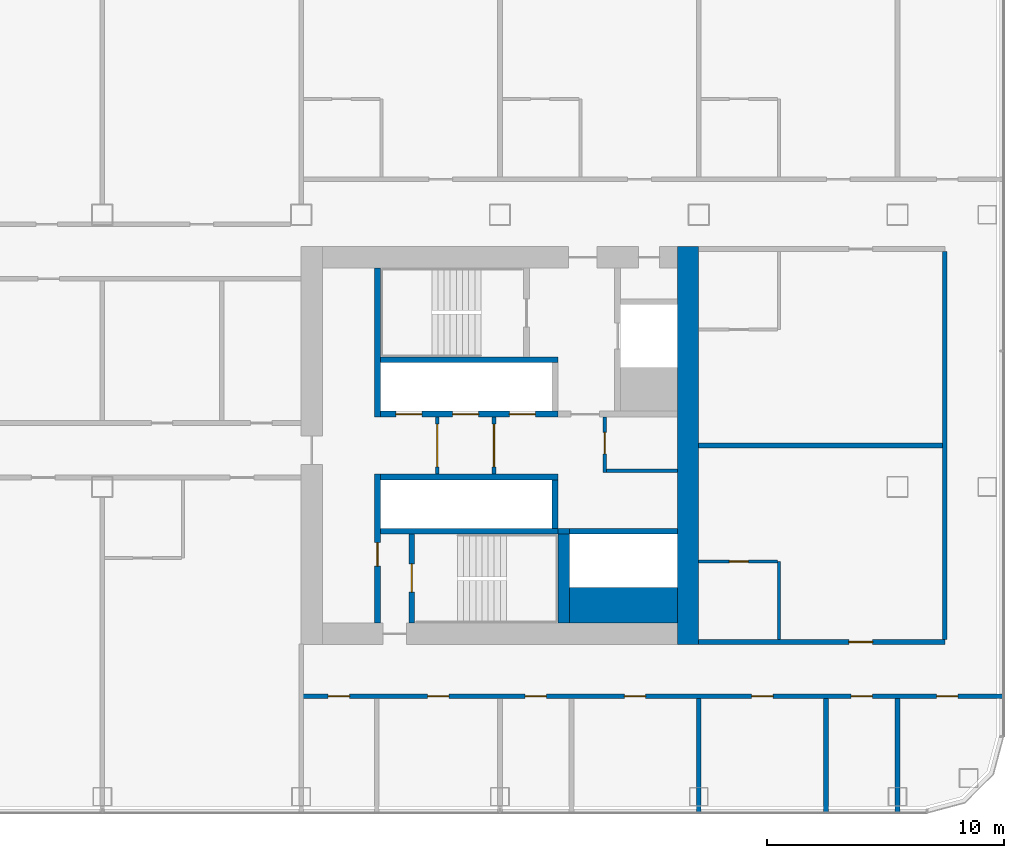
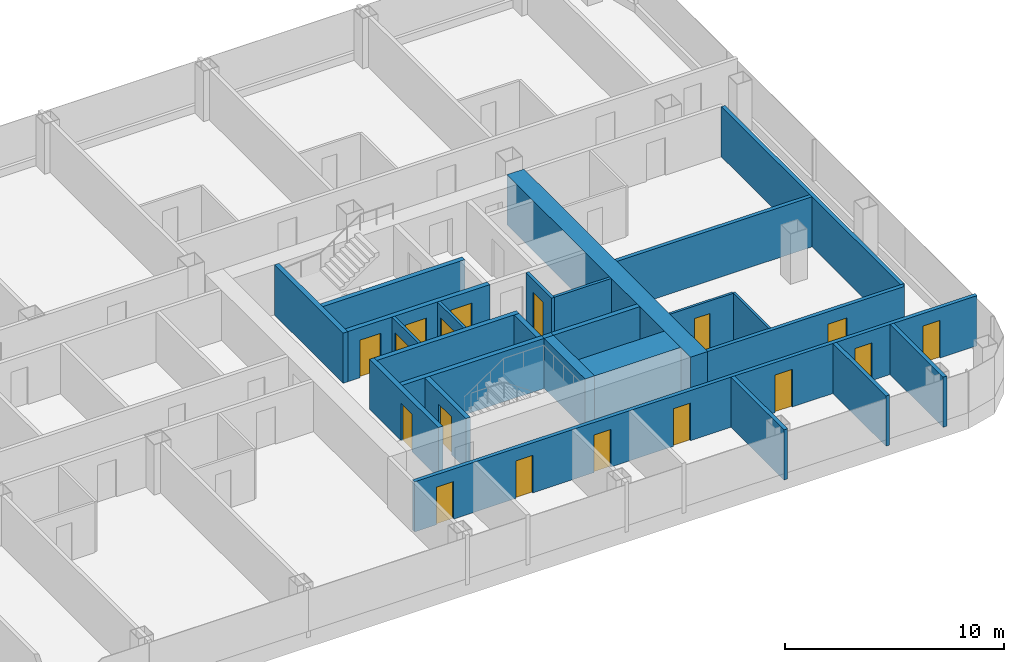
# One storey, part 19 of 29: 26 walls, 17 doors, 17 openings.
"""IFC4 building model written with IfcOpenShell, lengths in metres."""

from ifc_helpers import new_model, si_unit, direction, frame, frame_2d, origin, place, context, subcontext, project, spatial, rectangle, extrude, material, layer, layer_set, type_object, element, fill, save


model = new_model("IFC4")

# Units and contexts
model_context = context("Model", 3, precision=1e-05, world=origin(), true_north=direction((0.0, 1.0)))
body_context = subcontext(model_context, "Body", "Model", "MODEL_VIEW")
ifc_project = project(units=[si_unit("LENGTHUNIT", "METRE"), si_unit("AREAUNIT", "SQUARE_METRE"), si_unit("VOLUMEUNIT", "CUBIC_METRE"), si_unit("PLANEANGLEUNIT", "RADIAN"), si_unit("MASSUNIT", "GRAM", prefix="KILO")], contexts=[model_context])

# Site, building, storey
site_placement = place(None, origin())
site = spatial("IfcSite", under=ifc_project, at=site_placement, CompositionType="ELEMENT")
building_placement = place(site_placement, origin())
building = spatial("IfcBuilding", under=site, at=building_placement, Name="Hakoniwa Tower and Hamabe Station Hall", CompositionType="ELEMENT")
storey_placement = place(building_placement, frame((0.0, 0.0, 75.39990234375)))
storey = spatial("IfcBuildingStorey", under=building, at=storey_placement, Name="L20", CompositionType="ELEMENT", Elevation=75.39990234375)

# Wall, opening, door
ifc_material_1 = material(Name="Gypsum board partition", Category="gypsum")
ifc_layer_1 = layer(ifc_material_1, 0.125)
ifc_layer_set_1 = layer_set([ifc_layer_1], Name="Bathroom Partition 125")
wall_type_1 = type_object("IfcWallType", Name="Bathroom Partition 125", PredefinedType="PARTITIONING", material=ifc_layer_set_1)
wall_1_placement = place(storey_placement, frame((33.60009765625, -4.89990234375, 0.0), z_axis=(0.0, 0.0, 1.0), x_axis=(1.0, 0.0, 0.0)))
wall_1 = element("IfcWall", 1, at=wall_1_placement, inside=storey, type_object=wall_type_1, Name="GW-L20-006", PredefinedType="PARTITIONING", context=body_context, shape_type="SweptSolid", body=[
    extrude(rectangle(XDim=3.33740234375, YDim=0.125, at=frame_2d((1.668701171875, 0.0))), origin(), (0.0, 0.0, 1.0), 2.800048828125),
])
opening_1_placement = place(wall_1_placement, frame((1.300048828125, 0.0, 0.0)))
opening_1 = element("IfcOpeningElement", 2, at=opening_1_placement, cuts=wall_1, Name="Opening GD-G2A0-17", PredefinedType="OPENING", context=body_context, shape_type="SweptSolid", body=[
    extrude(rectangle(XDim=0.800048828125, YDim=2.10009765625, at=frame_2d((0.39990234375, 1.050048828125))), frame((0.0, 0.072509765625, 0.0), z_axis=(0.0, -1.0, 0.0), x_axis=(1.0, 0.0, 0.0)), (0.0, 0.0, 1.0), 0.14501953125),
])
ifc_material_2 = material(Name="Timber door leaf", Category="wood")
door_type_1 = type_object("IfcDoorType", Name="Bathroom Door 800", OperationType="SINGLE_SWING_LEFT", PredefinedType="DOOR", material=ifc_material_2)
door_1_placement = place(opening_1_placement, origin())
door_1 = element("IfcDoor", 3, at=door_1_placement, inside=storey, type_object=door_type_1, Name="Door GD-G2A0-17", OperationType="SINGLE_SWING_RIGHT", OverallHeight=2.10009765625, OverallWidth=0.800048828125, PredefinedType="DOOR", context=body_context, shape_type="SweptSolid", body=[
    extrude(rectangle(XDim=0.800048828125, YDim=2.10009765625, at=frame_2d((0.39990234375, 1.050048828125))), frame((0.0, 0.02490234375, 0.0), z_axis=(0.0, -1.0, 0.0), x_axis=(1.0, 0.0, 0.0)), (0.0, 0.0, 1.0), 0.050048828125),
])
fill(opening_1, door_1)

# Wall
wall_2_placement = place(storey_placement, frame((37.0, -8.199951171875, 0.0), z_axis=(0.0, 0.0, 1.0), x_axis=(0.0, 1.0, 0.0)))
element("IfcWall", 4, at=wall_2_placement, inside=storey, type_object=wall_type_1, Name="GW-L20-073", PredefinedType="PARTITIONING", context=body_context, shape_type="SweptSolid", body=[
    extrude(rectangle(XDim=3.300048828125, YDim=0.125, at=frame_2d((1.64990234375, 0.0))), origin(), (0.0, 0.0, 1.0), 2.800048828125),
])

# Wall, opening, door
ifc_material_3 = material(Name="Gypsum board partition")
ifc_layer_2 = layer(ifc_material_3, 0.14990234375)
ifc_layer_set_2 = layer_set([ifc_layer_2], Name="CORE PARTITION 150 EI 60")
wall_type_2 = type_object("IfcWallType", Name="CORE PARTITION 150 EI 60", PredefinedType="PARTITIONING", material=ifc_layer_set_2)
wall_3_placement = place(storey_placement, frame((22.550048828125, -1.199951171875, 0.0), z_axis=(0.0, 0.0, 1.0), x_axis=(0.0, 1.0, 0.0)))
wall_3 = element("IfcWall", 5, at=wall_3_placement, inside=storey, type_object=wall_type_2, Name="Core partition PL0 east", PredefinedType="PARTITIONING", context=body_context, shape_type="SweptSolid", body=[
    extrude(rectangle(XDim=2.39990234375, YDim=0.14990234375, at=frame_2d((1.199951171875, 0.0))), origin(), (0.0, 0.0, 1.0), 2.800048828125),
])
opening_2_placement = place(wall_3_placement, frame((0.300048828125, 0.0, 0.0)))
opening_2 = element("IfcOpeningElement", 6, at=opening_2_placement, cuts=wall_3, Name="Opening CD-E-LP0-18", PredefinedType="OPENING", context=body_context, shape_type="SweptSolid", body=[
    extrude(rectangle(XDim=1.800048828125, YDim=2.10009765625, at=frame_2d((0.89990234375, 1.050048828125))), frame((0.0, 0.0849609375, 0.0), z_axis=(0.0, -1.0, 0.0), x_axis=(1.0, 0.0, 0.0)), (0.0, 0.0, 1.0), 0.169921875),
])
ifc_material_4 = material(Name="Steel fire door", Category="steel")
door_type_2 = type_object("IfcDoorType", Name="CORE DOOR 1800 FD60", OperationType="DOUBLE_DOOR_SINGLE_SWING", PredefinedType="DOOR", material=ifc_material_4)
door_2_placement = place(opening_2_placement, origin())
door_2 = element("IfcDoor", 7, at=door_2_placement, inside=storey, type_object=door_type_2, Name="Lift lobby partition door", OperationType="DOUBLE_DOOR_SINGLE_SWING", OverallHeight=2.10009765625, OverallWidth=1.800048828125, PredefinedType="DOOR", context=body_context, shape_type="SweptSolid", body=[
    extrude(rectangle(XDim=1.800048828125, YDim=2.10009765625, at=frame_2d((0.89990234375, 1.050048828125))), frame((0.0, 0.02490234375, 0.0), z_axis=(0.0, -1.0, 0.0), x_axis=(1.0, 0.0, 0.0)), (0.0, 0.0, 1.0), 0.050048828125),
])
fill(opening_2, door_2)

wall_4_placement = place(storey_placement, frame((24.949951171875, -1.199951171875, 0.0), z_axis=(0.0, 0.0, 1.0), x_axis=(0.0, 1.0, 0.0)))
wall_4 = element("IfcWall", 8, at=wall_4_placement, inside=storey, type_object=wall_type_2, Name="Core partition PL1 east", PredefinedType="PARTITIONING", context=body_context, shape_type="SweptSolid", body=[
    extrude(rectangle(XDim=2.39990234375, YDim=0.14990234375, at=frame_2d((1.199951171875, 0.0))), origin(), (0.0, 0.0, 1.0), 2.800048828125),
])
opening_3_placement = place(wall_4_placement, frame((0.300048828125, 0.0, 0.0)))
opening_3 = element("IfcOpeningElement", 9, at=opening_3_placement, cuts=wall_4, Name="Opening CD-E-LP1-18", PredefinedType="OPENING", context=body_context, shape_type="SweptSolid", body=[
    extrude(rectangle(XDim=1.800048828125, YDim=2.10009765625, at=frame_2d((0.89990234375, 1.050048828125))), frame((0.0, 0.0849609375, 0.0), z_axis=(0.0, -1.0, 0.0), x_axis=(1.0, 0.0, 0.0)), (0.0, 0.0, 1.0), 0.169921875),
])
door_3_placement = place(opening_3_placement, origin())
door_3 = element("IfcDoor", 10, at=door_3_placement, inside=storey, type_object=door_type_2, Name="Lift lobby partition door", OperationType="DOUBLE_DOOR_SINGLE_SWING", OverallHeight=2.10009765625, OverallWidth=1.800048828125, PredefinedType="DOOR", context=body_context, shape_type="SweptSolid", body=[
    extrude(rectangle(XDim=1.800048828125, YDim=2.10009765625, at=frame_2d((0.89990234375, 1.050048828125))), frame((0.0, 0.02490234375, 0.0), z_axis=(0.0, -1.0, 0.0), x_axis=(1.0, 0.0, 0.0)), (0.0, 0.0, 1.0), 0.050048828125),
])
fill(opening_3, door_3)

wall_5_placement = place(storey_placement, frame((29.625, -1.14990234375, 0.0), z_axis=(0.0, 0.0, 1.0), x_axis=(0.0, 1.0, 0.0)))
wall_5 = element("IfcWall", 11, at=wall_5_placement, inside=storey, type_object=wall_type_2, Name="Core partition PW0 east", PredefinedType="PARTITIONING", context=body_context, shape_type="SweptSolid", body=[
    extrude(rectangle(XDim=2.349853515625, YDim=0.14990234375, at=frame_2d((1.1748046875, 0.0))), origin(), (0.0, 0.0, 1.0), 2.800048828125),
])
opening_4_placement = place(wall_5_placement, frame((0.800048828125, 0.0, 0.0)))
opening_4 = element("IfcOpeningElement", 12, at=opening_4_placement, cuts=wall_5, Name="Opening CD-E-RM1-9", PredefinedType="OPENING", context=body_context, shape_type="SweptSolid", body=[
    extrude(rectangle(XDim=0.89990234375, YDim=2.10009765625, at=frame_2d((0.449951171875, 1.050048828125))), frame((0.0, 0.0849609375, 0.0), z_axis=(0.0, -1.0, 0.0), x_axis=(1.0, 0.0, 0.0)), (0.0, 0.0, 1.0), 0.169921875),
])
ifc_material_5 = material(Name="Steel fire door", Category="steel")
door_type_3 = type_object("IfcDoorType", Name="CORE DOOR 900 FD30", OperationType="NOTDEFINED", PredefinedType="DOOR", material=ifc_material_5)
door_4_placement = place(opening_4_placement, origin())
door_4 = element("IfcDoor", 13, at=door_4_placement, inside=storey, type_object=door_type_3, Name="Store room door", OperationType="SINGLE_SWING_RIGHT", OverallHeight=2.10009765625, OverallWidth=0.89990234375, PredefinedType="DOOR", context=body_context, shape_type="SweptSolid", body=[
    extrude(rectangle(XDim=0.89990234375, YDim=2.10009765625, at=frame_2d((0.449951171875, 1.050048828125))), frame((0.0, 0.02490234375, 0.0), z_axis=(0.0, -1.0, 0.0), x_axis=(1.0, 0.0, 0.0)), (0.0, 0.0, 1.0), 0.050048828125),
])
fill(opening_4, door_4)

# Walls
wall_6_placement = place(storey_placement, frame((29.699951171875, -1.074951171875, 0.0), z_axis=(0.0, 0.0, 1.0), x_axis=(1.0, 0.0, 0.0)))
element("IfcWall", 14, at=wall_6_placement, inside=storey, type_object=wall_type_2, Name="Core partition PS east", PredefinedType="PARTITIONING", context=body_context, shape_type="SweptSolid", body=[
    extrude(rectangle(XDim=3.0, YDim=0.14990234375, at=frame_2d((1.5, 0.0))), origin(), (0.0, 0.0, 1.0), 2.800048828125),
])
ifc_material_6 = material(Name="Concrete C72", Category="concrete")
ifc_layer_3 = layer(ifc_material_6, 0.89990234375)
ifc_layer_set_3 = layer_set([ifc_layer_3], Name="CORE WALL 900 C72")
wall_type_3 = type_object("IfcWallType", Name="CORE WALL 900 C72", PredefinedType="SHEAR", material=ifc_layer_set_3)
wall_7_placement = place(storey_placement, frame((33.14990234375, -8.39990234375, 0.0), z_axis=(0.0, 0.0, 1.0), x_axis=(0.0, 1.0, 0.0)))
element("IfcWall", 15, at=wall_7_placement, inside=storey, type_object=wall_type_3, Name="Core wall OUTER east", PredefinedType="SHEAR", context=body_context, shape_type="SweptSolid", body=[
    extrude(rectangle(XDim=16.7998046875, YDim=0.89990234375, at=frame_2d((8.39990234375, 0.0))), origin(), (0.0, 0.0, 1.0), 2.800048828125),
])
ifc_material_7 = material(Name="Concrete C72", Category="concrete")
ifc_layer_4 = layer(ifc_material_7, 1.5)
ifc_layer_set_4 = layer_set([ifc_layer_4], Name="CORE WEB WALL 1500 C72")
wall_type_4 = type_object("IfcWallType", Name="CORE WEB WALL 1500 C72", PredefinedType="SHEAR", material=ifc_layer_set_4)
wall_8_placement = place(storey_placement, frame((28.14990234375, -6.75, 0.0), z_axis=(0.0, 0.0, 1.0), x_axis=(1.0, 0.0, 0.0)))
element("IfcWall", 16, at=wall_8_placement, inside=storey, type_object=wall_type_4, Name="Core wall SER east", PredefinedType="SHEAR", context=body_context, shape_type="SweptSolid", body=[
    extrude(rectangle(XDim=4.550048828125, YDim=1.5, at=frame_2d((2.27490234375, 0.0))), origin(), (0.0, 0.0, 1.0), 2.800048828125),
])
ifc_material_8 = material(Name="Concrete C72", Category="concrete")
ifc_layer_5 = layer(ifc_material_8, 0.25)
ifc_layer_set_5 = layer_set([ifc_layer_5], Name="CORE WEB WALL 250 C72")
wall_type_5 = type_object("IfcWallType", Name="CORE WEB WALL 250 C72", PredefinedType="SHEAR", material=ifc_layer_set_5)
wall_9_placement = place(storey_placement, frame((20.02490234375, 1.199951171875, 0.0), z_axis=(0.0, 0.0, 1.0), x_axis=(0.0, 1.0, 0.0)))
element("IfcWall", 17, at=wall_9_placement, inside=storey, type_object=wall_type_5, Name="Core wall W1N east", PredefinedType="SHEAR", context=body_context, shape_type="SweptSolid", body=[
    extrude(rectangle(XDim=6.300048828125, YDim=0.25, at=frame_2d((3.14990234375, 0.0))), origin(), (0.0, 0.0, 1.0), 2.800048828125),
])

# Wall, opening, door
wall_10_placement = place(storey_placement, frame((20.02490234375, -7.5, 0.0), z_axis=(0.0, 0.0, 1.0), x_axis=(0.0, 1.0, 0.0)))
wall_10 = element("IfcWall", 18, at=wall_10_placement, inside=storey, type_object=wall_type_5, Name="Core wall W1S east", PredefinedType="SHEAR", context=body_context, shape_type="SweptSolid", body=[
    extrude(rectangle(XDim=6.300048828125, YDim=0.25, at=frame_2d((3.14990234375, 0.0))), origin(), (0.0, 0.0, 1.0), 2.800048828125),
])
opening_5_placement = place(wall_10_placement, frame((2.39990234375, 0.0, 0.0)))
opening_5 = element("IfcOpeningElement", 19, at=opening_5_placement, cuts=wall_10, Name="Opening CD-E-VS-10", PredefinedType="OPENING", context=body_context, shape_type="SweptSolid", body=[
    extrude(rectangle(XDim=1.0, YDim=2.10009765625, at=frame_2d((0.5, 1.050048828125))), frame((0.0, 0.135009765625, 0.0), z_axis=(0.0, -1.0, 0.0), x_axis=(1.0, 0.0, 0.0)), (0.0, 0.0, 1.0), 0.27001953125),
])
ifc_material_9 = material(Name="Steel fire door", Category="steel")
door_type_4 = type_object("IfcDoorType", Name="CORE DOOR 1000 FD60", OperationType="NOTDEFINED", PredefinedType="DOOR", material=ifc_material_9)
door_5_placement = place(opening_5_placement, origin())
door_5 = element("IfcDoor", 20, at=door_5_placement, inside=storey, type_object=door_type_4, Name="Stair vestibule door", OperationType="SINGLE_SWING_RIGHT", OverallHeight=2.10009765625, OverallWidth=1.0, PredefinedType="DOOR", context=body_context, shape_type="SweptSolid", body=[
    extrude(rectangle(XDim=1.0, YDim=2.10009765625, at=frame_2d((0.5, 1.050048828125))), frame((0.0, 0.02490234375, 0.0), z_axis=(0.0, -1.0, 0.0), x_axis=(1.0, 0.0, 0.0)), (0.0, 0.0, 1.0), 0.050048828125),
])
fill(opening_5, door_5)

# Wall, openings, doors
wall_11_placement = place(storey_placement, frame((20.14990234375, 1.324951171875, 0.0), z_axis=(0.0, 0.0, 1.0), x_axis=(1.0, 0.0, 0.0)))
wall_11 = element("IfcWall", 21, at=wall_11_placement, inside=storey, type_object=wall_type_5, Name="Core wall NF east", PredefinedType="SHEAR", context=body_context, shape_type="SweptSolid", body=[
    extrude(rectangle(XDim=7.5, YDim=0.25, at=frame_2d((3.75, 0.0))), origin(), (0.0, 0.0, 1.0), 2.800048828125),
])
opening_6_placement = place(wall_11_placement, frame((0.64990234375, 0.0, 0.0)))
opening_6 = element("IfcOpeningElement", 22, at=opening_6_placement, cuts=wall_11, Name="Opening LD-LR4", PredefinedType="OPENING", context=body_context, shape_type="SweptSolid", body=[
    extrude(rectangle(XDim=1.10009765625, YDim=2.10009765625, at=frame_2d((0.550048828125, 1.050048828125))), frame((0.0, 0.135009765625, 0.0), z_axis=(0.0, -1.0, 0.0), x_axis=(1.0, 0.0, 0.0)), (0.0, 0.0, 1.0), 0.27001953125),
])
opening_7_placement = place(wall_11_placement, frame((3.050048828125, 0.0, 0.0)))
opening_7 = element("IfcOpeningElement", 23, at=opening_7_placement, cuts=wall_11, Name="Opening LD-LR5", PredefinedType="OPENING", context=body_context, shape_type="SweptSolid", body=[
    extrude(rectangle(XDim=1.10009765625, YDim=2.10009765625, at=frame_2d((0.550048828125, 1.050048828125))), frame((0.0, 0.135009765625, 0.0), z_axis=(0.0, -1.0, 0.0), x_axis=(1.0, 0.0, 0.0)), (0.0, 0.0, 1.0), 0.27001953125),
])
opening_8_placement = place(wall_11_placement, frame((5.449951171875, 0.0, 0.0)))
opening_8 = element("IfcOpeningElement", 24, at=opening_8_placement, cuts=wall_11, Name="Opening LD-LR6", PredefinedType="OPENING", context=body_context, shape_type="SweptSolid", body=[
    extrude(rectangle(XDim=1.10009765625, YDim=2.10009765625, at=frame_2d((0.550048828125, 1.050048828125))), frame((0.0, 0.135009765625, 0.0), z_axis=(0.0, -1.0, 0.0), x_axis=(1.0, 0.0, 0.0)), (0.0, 0.0, 1.0), 0.27001953125),
])
ifc_material_10 = material(Name="Stainless steel SUS304", Category="steel")
door_type_5 = type_object("IfcDoorType", Name="LIFT LANDING DOOR 1100 FD60", OperationType="DOUBLE_DOOR_SLIDING", PredefinedType="DOOR", material=ifc_material_10)
door_6_placement = place(opening_6_placement, origin())
door_6 = element("IfcDoor", 25, at=door_6_placement, inside=storey, type_object=door_type_5, Name="Lift landing door LR4 L20", OperationType="DOUBLE_DOOR_SLIDING", OverallHeight=2.10009765625, OverallWidth=1.10009765625, PredefinedType="DOOR", context=body_context, shape_type="SweptSolid", body=[
    extrude(rectangle(XDim=1.10009765625, YDim=2.10009765625, at=frame_2d((0.550048828125, 1.050048828125))), frame((0.0, 0.02490234375, 0.0), z_axis=(0.0, -1.0, 0.0), x_axis=(1.0, 0.0, 0.0)), (0.0, 0.0, 1.0), 0.050048828125),
])
fill(opening_6, door_6)
door_7_placement = place(opening_7_placement, origin())
door_7 = element("IfcDoor", 26, at=door_7_placement, inside=storey, type_object=door_type_5, Name="Lift landing door LR5 L20", OperationType="DOUBLE_DOOR_SLIDING", OverallHeight=2.10009765625, OverallWidth=1.10009765625, PredefinedType="DOOR", context=body_context, shape_type="SweptSolid", body=[
    extrude(rectangle(XDim=1.10009765625, YDim=2.10009765625, at=frame_2d((0.550048828125, 1.050048828125))), frame((0.0, 0.02490234375, 0.0), z_axis=(0.0, -1.0, 0.0), x_axis=(1.0, 0.0, 0.0)), (0.0, 0.0, 1.0), 0.050048828125),
])
fill(opening_7, door_7)
door_8_placement = place(opening_8_placement, origin())
door_8 = element("IfcDoor", 27, at=door_8_placement, inside=storey, type_object=door_type_5, Name="Lift landing door LR6 L20", OperationType="DOUBLE_DOOR_SLIDING", OverallHeight=2.10009765625, OverallWidth=1.10009765625, PredefinedType="DOOR", context=body_context, shape_type="SweptSolid", body=[
    extrude(rectangle(XDim=1.10009765625, YDim=2.10009765625, at=frame_2d((0.550048828125, 1.050048828125))), frame((0.0, 0.02490234375, 0.0), z_axis=(0.0, -1.0, 0.0), x_axis=(1.0, 0.0, 0.0)), (0.0, 0.0, 1.0), 0.050048828125),
])
fill(opening_8, door_8)

# Walls
for number, where, z_axis, x_axis, name in (
    (28, (20.14990234375, 3.625, 0.0), (0.0, 0.0, 1.0), (1.0, 0.0, 0.0), "Core wall NR east"),
    (29, (20.14990234375, -1.324951171875, 0.0), (0.0, 0.0, 1.0), (1.0, 0.0, 0.0), "Core wall SF east"),
):
    element("IfcWall", number, at=place(storey_placement, frame(where, z_axis=z_axis, x_axis=x_axis)), inside=storey, type_object=wall_type_5, Name=name, PredefinedType="SHEAR", context=body_context, shape_type="SweptSolid", body=[
        extrude(rectangle(XDim=7.5, YDim=0.25, at=frame_2d((3.75, 0.0))), origin(), (0.0, 0.0, 1.0), 2.800048828125),
    ])
wall_12_placement = place(storey_placement, frame((27.52490234375, -3.5, 0.0), z_axis=(0.0, 0.0, 1.0), x_axis=(0.0, 1.0, 0.0)))
element("IfcWall", 30, at=wall_12_placement, inside=storey, type_object=wall_type_5, Name="Core wall SE east", PredefinedType="SHEAR", context=body_context, shape_type="SweptSolid", body=[
    extrude(rectangle(XDim=2.050048828125, YDim=0.25, at=frame_2d((1.02490234375, 0.0))), origin(), (0.0, 0.0, 1.0), 2.800048828125),
])
wall_13_placement = place(storey_placement, frame((20.14990234375, -3.625, 0.0), z_axis=(0.0, 0.0, 1.0), x_axis=(1.0, 0.0, 0.0)))
element("IfcWall", 31, at=wall_13_placement, inside=storey, type_object=wall_type_5, Name="Core wall SR east", PredefinedType="SHEAR", context=body_context, shape_type="SweptSolid", body=[
    extrude(rectangle(XDim=7.5, YDim=0.25, at=frame_2d((3.75, 0.0))), origin(), (0.0, 0.0, 1.0), 2.800048828125),
])

# Wall, opening, door
wall_14_placement = place(storey_placement, frame((21.47509765625, -7.5, 0.0), z_axis=(0.0, 0.0, 1.0), x_axis=(0.0, 1.0, 0.0)))
wall_14 = element("IfcWall", 32, at=wall_14_placement, inside=storey, type_object=wall_type_5, Name="Core wall VE east", PredefinedType="SHEAR", context=body_context, shape_type="SweptSolid", body=[
    extrude(rectangle(XDim=3.75, YDim=0.25, at=frame_2d((1.875, 0.0))), origin(), (0.0, 0.0, 1.0), 2.800048828125),
])
opening_9_placement = place(wall_14_placement, frame((1.300048828125, 0.0, 0.0)))
opening_9 = element("IfcOpeningElement", 33, at=opening_9_placement, cuts=wall_14, Name="Opening CD-E-SS-12", PredefinedType="OPENING", context=body_context, shape_type="SweptSolid", body=[
    extrude(rectangle(XDim=1.199951171875, YDim=2.10009765625, at=frame_2d((0.60009765625, 1.050048828125))), frame((0.0, 0.135009765625, 0.0), z_axis=(0.0, -1.0, 0.0), x_axis=(1.0, 0.0, 0.0)), (0.0, 0.0, 1.0), 0.27001953125),
])
ifc_material_11 = material(Name="Steel fire door", Category="steel")
door_type_6 = type_object("IfcDoorType", Name="CORE DOOR 1200 FD60", OperationType="DOUBLE_DOOR_SINGLE_SWING", PredefinedType="DOOR", material=ifc_material_11)
door_9_placement = place(opening_9_placement, origin())
door_9 = element("IfcDoor", 34, at=door_9_placement, inside=storey, type_object=door_type_6, Name="Escape stair door", OperationType="DOUBLE_DOOR_SINGLE_SWING", OverallHeight=2.10009765625, OverallWidth=1.199951171875, PredefinedType="DOOR", context=body_context, shape_type="SweptSolid", body=[
    extrude(rectangle(XDim=1.199951171875, YDim=2.10009765625, at=frame_2d((0.60009765625, 1.050048828125))), frame((0.0, 0.02490234375, 0.0), z_axis=(0.0, -1.0, 0.0), x_axis=(1.0, 0.0, 0.0)), (0.0, 0.0, 1.0), 0.050048828125),
])
fill(opening_9, door_9)

# Walls
wall_15_placement = place(storey_placement, frame((28.14990234375, -3.625, 0.0), z_axis=(0.0, 0.0, 1.0), x_axis=(1.0, 0.0, 0.0)))
element("IfcWall", 35, at=wall_15_placement, inside=storey, type_object=wall_type_5, Name="Core wall SEF east", PredefinedType="SHEAR", context=body_context, shape_type="SweptSolid", body=[
    extrude(rectangle(XDim=4.550048828125, YDim=0.25, at=frame_2d((2.27490234375, 0.0))), origin(), (0.0, 0.0, 1.0), 2.800048828125),
])
wall_16_placement = place(storey_placement, frame((27.64990234375, -3.625, 0.0), z_axis=(0.0, 0.0, 1.0), x_axis=(1.0, 0.0, 0.0)))
element("IfcWall", 36, at=wall_16_placement, inside=storey, type_object=wall_type_5, Name="Core wall SRK east", PredefinedType="SHEAR", context=body_context, shape_type="SweptSolid", body=[
    extrude(rectangle(XDim=0.5, YDim=0.25, at=frame_2d((0.25, 0.0))), origin(), (0.0, 0.0, 1.0), 2.800048828125),
])
ifc_material_12 = material(Name="Concrete C72", Category="concrete")
ifc_layer_6 = layer(ifc_material_12, 0.5)
ifc_layer_set_6 = layer_set([ifc_layer_6], Name="CORE WEB WALL 500 C72")
wall_type_6 = type_object("IfcWallType", Name="CORE WEB WALL 500 C72", PredefinedType="SHEAR", material=ifc_layer_set_6)
wall_17_placement = place(storey_placement, frame((27.89990234375, -7.5, 0.0), z_axis=(0.0, 0.0, 1.0), x_axis=(0.0, 1.0, 0.0)))
element("IfcWall", 37, at=wall_17_placement, inside=storey, type_object=wall_type_6, Name="Core wall SSE east", PredefinedType="SHEAR", context=body_context, shape_type="SweptSolid", body=[
    extrude(rectangle(XDim=3.75, YDim=0.5, at=frame_2d((1.875, 0.0))), origin(), (0.0, 0.0, 1.0), 2.800048828125),
])

# Wall, openings, doors
ifc_material_13 = material(Name="Fire-rated gypsum board partition", Category="gypsum")
ifc_layer_7 = layer(ifc_material_13, 0.199951171875)
ifc_layer_set_7 = layer_set([ifc_layer_7], Name="Corridor Wall 200")
wall_type_7 = type_object("IfcWallType", Name="Corridor Wall 200", PredefinedType="PARTITIONING", material=ifc_layer_set_7)
wall_18_placement = place(storey_placement, frame((16.800048828125, -10.60009765625, 0.0), z_axis=(0.0, 0.0, 1.0), x_axis=(1.0, 0.0, 0.0)))
wall_18 = element("IfcWall", 38, at=wall_18_placement, inside=storey, type_object=wall_type_7, Name="GW-L20-002", PredefinedType="PARTITIONING", context=body_context, shape_type="SweptSolid", body=[
    extrude(rectangle(XDim=29.699951171875, YDim=0.199951171875, at=frame_2d((14.85009765625, 0.0))), origin(), (0.0, 0.0, 1.0), 2.800048828125),
])
opening_10_placement = place(wall_18_placement, frame((1.14501953125, 0.0, 0.0)))
opening_10 = element("IfcOpeningElement", 39, at=opening_10_placement, cuts=wall_18, Name="Opening GD-G2A0-07", PredefinedType="OPENING", context=body_context, shape_type="SweptSolid", body=[
    extrude(rectangle(XDim=0.89990234375, YDim=2.10009765625, at=frame_2d((0.449951171875, 1.050048828125))), frame((0.0, 0.10986328125, 0.0), z_axis=(0.0, -1.0, 0.0), x_axis=(1.0, 0.0, 0.0)), (0.0, 0.0, 1.0), 0.219970703125),
])
opening_11_placement = place(wall_18_placement, frame((5.344970703125, 0.0, 0.0)))
opening_11 = element("IfcOpeningElement", 40, at=opening_11_placement, cuts=wall_18, Name="Opening GD-G2A0-08", PredefinedType="OPENING", context=body_context, shape_type="SweptSolid", body=[
    extrude(rectangle(XDim=0.89990234375, YDim=2.10009765625, at=frame_2d((0.449951171875, 1.050048828125))), frame((0.0, 0.10986328125, 0.0), z_axis=(0.0, -1.0, 0.0), x_axis=(1.0, 0.0, 0.0)), (0.0, 0.0, 1.0), 0.219970703125),
])
opening_12_placement = place(wall_18_placement, frame((9.4599609375, 0.0, 0.0)))
opening_12 = element("IfcOpeningElement", 41, at=opening_12_placement, cuts=wall_18, Name="Opening GD-G2A0-09", PredefinedType="OPENING", context=body_context, shape_type="SweptSolid", body=[
    extrude(rectangle(XDim=0.89990234375, YDim=2.10009765625, at=frame_2d((0.449951171875, 1.050048828125))), frame((0.0, 0.10986328125, 0.0), z_axis=(0.0, -1.0, 0.0), x_axis=(1.0, 0.0, 0.0)), (0.0, 0.0, 1.0), 0.219970703125),
])
opening_13_placement = place(wall_18_placement, frame((13.659912109375, 0.0, 0.0)))
opening_13 = element("IfcOpeningElement", 42, at=opening_13_placement, cuts=wall_18, Name="Opening GD-G2A0-10", PredefinedType="OPENING", context=body_context, shape_type="SweptSolid", body=[
    extrude(rectangle(XDim=0.89990234375, YDim=2.10009765625, at=frame_2d((0.449951171875, 1.050048828125))), frame((0.0, 0.10986328125, 0.0), z_axis=(0.0, -1.0, 0.0), x_axis=(1.0, 0.0, 0.0)), (0.0, 0.0, 1.0), 0.219970703125),
])
opening_14_placement = place(wall_18_placement, frame((19.0400390625, 0.0, 0.0)))
opening_14 = element("IfcOpeningElement", 43, at=opening_14_placement, cuts=wall_18, Name="Opening GD-G2A0-11", PredefinedType="OPENING", context=body_context, shape_type="SweptSolid", body=[
    extrude(rectangle(XDim=0.89990234375, YDim=2.10009765625, at=frame_2d((0.449951171875, 1.050048828125))), frame((0.0, 0.10986328125, 0.0), z_axis=(0.0, -1.0, 0.0), x_axis=(1.0, 0.0, 0.0)), (0.0, 0.0, 1.0), 0.219970703125),
])
opening_15_placement = place(wall_18_placement, frame((23.239990234375, 0.0, 0.0)))
opening_15 = element("IfcOpeningElement", 44, at=opening_15_placement, cuts=wall_18, Name="Opening GD-G2A0-12", PredefinedType="OPENING", context=body_context, shape_type="SweptSolid", body=[
    extrude(rectangle(XDim=0.89990234375, YDim=2.10009765625, at=frame_2d((0.449951171875, 1.050048828125))), frame((0.0, 0.10986328125, 0.0), z_axis=(0.0, -1.0, 0.0), x_axis=(1.0, 0.0, 0.0)), (0.0, 0.0, 1.0), 0.219970703125),
])
opening_16_placement = place(wall_18_placement, frame((26.85009765625, 0.0, 0.0)))
opening_16 = element("IfcOpeningElement", 45, at=opening_16_placement, cuts=wall_18, Name="Opening GD-G2A0-13", PredefinedType="OPENING", context=body_context, shape_type="SweptSolid", body=[
    extrude(rectangle(XDim=0.89990234375, YDim=2.10009765625, at=frame_2d((0.449951171875, 1.050048828125))), frame((0.0, 0.10986328125, 0.0), z_axis=(0.0, -1.0, 0.0), x_axis=(1.0, 0.0, 0.0)), (0.0, 0.0, 1.0), 0.219970703125),
])
ifc_material_14 = material(Name="Timber door leaf", Category="wood")
door_type_7 = type_object("IfcDoorType", Name="Service Door 900", OperationType="SINGLE_SWING_LEFT", PredefinedType="DOOR", material=ifc_material_14)
door_10_placement = place(opening_10_placement, origin())
door_10 = element("IfcDoor", 46, at=door_10_placement, inside=storey, type_object=door_type_7, Name="Door GD-G2A0-07", OperationType="SINGLE_SWING_LEFT", OverallHeight=2.10009765625, OverallWidth=0.89990234375, PredefinedType="DOOR", context=body_context, shape_type="SweptSolid", body=[
    extrude(rectangle(XDim=0.89990234375, YDim=2.10009765625, at=frame_2d((0.449951171875, 1.050048828125))), frame((0.0, 0.02490234375, 0.0), z_axis=(0.0, -1.0, 0.0), x_axis=(1.0, 0.0, 0.0)), (0.0, 0.0, 1.0), 0.050048828125),
])
fill(opening_10, door_10)
door_11_placement = place(opening_11_placement, origin())
door_11 = element("IfcDoor", 47, at=door_11_placement, inside=storey, type_object=door_type_7, Name="Door GD-G2A0-08", OperationType="SINGLE_SWING_RIGHT", OverallHeight=2.10009765625, OverallWidth=0.89990234375, PredefinedType="DOOR", context=body_context, shape_type="SweptSolid", body=[
    extrude(rectangle(XDim=0.89990234375, YDim=2.10009765625, at=frame_2d((0.449951171875, 1.050048828125))), frame((0.0, 0.02490234375, 0.0), z_axis=(0.0, -1.0, 0.0), x_axis=(1.0, 0.0, 0.0)), (0.0, 0.0, 1.0), 0.050048828125),
])
fill(opening_11, door_11)
door_12_placement = place(opening_12_placement, origin())
door_12 = element("IfcDoor", 48, at=door_12_placement, inside=storey, type_object=door_type_7, Name="Door GD-G2A0-09", OperationType="SINGLE_SWING_LEFT", OverallHeight=2.10009765625, OverallWidth=0.89990234375, PredefinedType="DOOR", context=body_context, shape_type="SweptSolid", body=[
    extrude(rectangle(XDim=0.89990234375, YDim=2.10009765625, at=frame_2d((0.449951171875, 1.050048828125))), frame((0.0, 0.02490234375, 0.0), z_axis=(0.0, -1.0, 0.0), x_axis=(1.0, 0.0, 0.0)), (0.0, 0.0, 1.0), 0.050048828125),
])
fill(opening_12, door_12)
door_13_placement = place(opening_13_placement, origin())
door_13 = element("IfcDoor", 49, at=door_13_placement, inside=storey, type_object=door_type_7, Name="Door GD-G2A0-10", OperationType="SINGLE_SWING_LEFT", OverallHeight=2.10009765625, OverallWidth=0.89990234375, PredefinedType="DOOR", context=body_context, shape_type="SweptSolid", body=[
    extrude(rectangle(XDim=0.89990234375, YDim=2.10009765625, at=frame_2d((0.449951171875, 1.050048828125))), frame((0.0, 0.02490234375, 0.0), z_axis=(0.0, -1.0, 0.0), x_axis=(1.0, 0.0, 0.0)), (0.0, 0.0, 1.0), 0.050048828125),
])
fill(opening_13, door_13)
door_14_placement = place(opening_14_placement, origin())
door_14 = element("IfcDoor", 50, at=door_14_placement, inside=storey, type_object=door_type_7, Name="Door GD-G2A0-11", OperationType="SINGLE_SWING_RIGHT", OverallHeight=2.10009765625, OverallWidth=0.89990234375, PredefinedType="DOOR", context=body_context, shape_type="SweptSolid", body=[
    extrude(rectangle(XDim=0.89990234375, YDim=2.10009765625, at=frame_2d((0.449951171875, 1.050048828125))), frame((0.0, 0.02490234375, 0.0), z_axis=(0.0, -1.0, 0.0), x_axis=(1.0, 0.0, 0.0)), (0.0, 0.0, 1.0), 0.050048828125),
])
fill(opening_14, door_14)
door_15_placement = place(opening_15_placement, origin())
door_15 = element("IfcDoor", 51, at=door_15_placement, inside=storey, type_object=door_type_7, Name="Door GD-G2A0-12", OperationType="SINGLE_SWING_LEFT", OverallHeight=2.10009765625, OverallWidth=0.89990234375, PredefinedType="DOOR", context=body_context, shape_type="SweptSolid", body=[
    extrude(rectangle(XDim=0.89990234375, YDim=2.10009765625, at=frame_2d((0.449951171875, 1.050048828125))), frame((0.0, 0.02490234375, 0.0), z_axis=(0.0, -1.0, 0.0), x_axis=(1.0, 0.0, 0.0)), (0.0, 0.0, 1.0), 0.050048828125),
])
fill(opening_15, door_15)
door_16_placement = place(opening_16_placement, origin())
door_16 = element("IfcDoor", 52, at=door_16_placement, inside=storey, type_object=door_type_7, Name="Door GD-G2A0-13", OperationType="SINGLE_SWING_LEFT", OverallHeight=2.10009765625, OverallWidth=0.89990234375, PredefinedType="DOOR", context=body_context, shape_type="SweptSolid", body=[
    extrude(rectangle(XDim=0.89990234375, YDim=2.10009765625, at=frame_2d((0.449951171875, 1.050048828125))), frame((0.0, 0.02490234375, 0.0), z_axis=(0.0, -1.0, 0.0), x_axis=(1.0, 0.0, 0.0)), (0.0, 0.0, 1.0), 0.050048828125),
])
fill(opening_16, door_16)

# Wall, opening, door
wall_19_placement = place(storey_placement, frame((33.60009765625, -8.300048828125, 0.0), z_axis=(0.0, 0.0, 1.0), x_axis=(1.0, 0.0, 0.0)))
wall_19 = element("IfcWall", 53, at=wall_19_placement, inside=storey, type_object=wall_type_7, Name="GW-L20-004", PredefinedType="PARTITIONING", context=body_context, shape_type="SweptSolid", body=[
    extrude(rectangle(XDim=10.39990234375, YDim=0.199951171875, at=frame_2d((5.199951171875, 0.0))), origin(), (0.0, 0.0, 1.0), 2.800048828125),
])
opening_17_placement = place(wall_19_placement, frame((6.35009765625, 0.0, 0.0)))
opening_17 = element("IfcOpeningElement", 54, at=opening_17_placement, cuts=wall_19, Name="Opening GD-G2A0-15", PredefinedType="OPENING", context=body_context, shape_type="SweptSolid", body=[
    extrude(rectangle(XDim=1.0, YDim=2.10009765625, at=frame_2d((0.5, 1.050048828125))), frame((0.0, 0.10986328125, 0.0), z_axis=(0.0, -1.0, 0.0), x_axis=(1.0, 0.0, 0.0)), (0.0, 0.0, 1.0), 0.219970703125),
])
ifc_material_15 = material(Name="Timber door leaf", Category="wood")
door_type_8 = type_object("IfcDoorType", Name="Guest Entrance Door 1000", OperationType="SINGLE_SWING_LEFT", PredefinedType="DOOR", material=ifc_material_15)
door_17_placement = place(opening_17_placement, origin())
door_17 = element("IfcDoor", 55, at=door_17_placement, inside=storey, type_object=door_type_8, Name="Door GD-G2A0-15", OperationType="SINGLE_SWING_LEFT", OverallHeight=2.10009765625, OverallWidth=1.0, PredefinedType="DOOR", context=body_context, shape_type="SweptSolid", body=[
    extrude(rectangle(XDim=1.0, YDim=2.10009765625, at=frame_2d((0.5, 1.050048828125))), frame((0.0, 0.02490234375, 0.0), z_axis=(0.0, -1.0, 0.0), x_axis=(1.0, 0.0, 0.0)), (0.0, 0.0, 1.0), 0.050048828125),
])
fill(opening_17, door_17)

# Walls
ifc_material_16 = material(Name="Fire-rated gypsum board partition", Category="gypsum")
ifc_layer_8 = layer(ifc_material_16, 0.199951171875)
ifc_layer_set_8 = layer_set([ifc_layer_8], Name="Party Wall 200")
wall_type_8 = type_object("IfcWallType", Name="Party Wall 200", PredefinedType="PARTITIONING", material=ifc_layer_set_8)
wall_20_placement = place(storey_placement, frame((33.60009765625, 0.0, 0.0), z_axis=(0.0, 0.0, 1.0), x_axis=(1.0, 0.0, 0.0)))
element("IfcWall", 56, at=wall_20_placement, inside=storey, type_object=wall_type_8, Name="GW-L20-012", PredefinedType="PARTITIONING", context=body_context, shape_type="SweptSolid", body=[
    extrude(rectangle(XDim=10.2998046875, YDim=0.199951171875, at=frame_2d((5.14990234375, 0.0))), origin(), (0.0, 0.0, 1.0), 2.800048828125),
])
for number, where, z_axis, x_axis, name in (
    (57, (33.60009765625, -15.550048828125, 0.0), (0.0, 0.0, 1.0), (0.0, 1.0, 0.0), "GW-L20-071"),
    (58, (38.97998046875, -15.550048828125, 0.0), (0.0, 0.0, 1.0), (0.0, 1.0, 0.0), "GW-L20-076"),
    (59, (42.0, -15.550048828125, 0.0), (0.0, 0.0, 1.0), (0.0, 1.0, 0.0), "GW-L20-077"),
):
    element("IfcWall", number, at=place(storey_placement, frame(where, z_axis=z_axis, x_axis=x_axis)), inside=storey, type_object=wall_type_8, Name=name, PredefinedType="PARTITIONING", context=body_context, shape_type="SweptSolid", body=[
        extrude(rectangle(XDim=4.85009765625, YDim=0.199951171875, at=frame_2d((2.425048828125, 0.0))), origin(), (0.0, 0.0, 1.0), 2.800048828125),
    ])
wall_21_placement = place(storey_placement, frame((44.0, -8.199951171875, 0.0), z_axis=(0.0, 0.0, 1.0), x_axis=(0.0, 1.0, 0.0)))
element("IfcWall", 60, at=wall_21_placement, inside=storey, type_object=wall_type_8, Name="GW-L20-079", PredefinedType="PARTITIONING", context=body_context, shape_type="SweptSolid", body=[
    extrude(rectangle(XDim=16.39990234375, YDim=0.199951171875, at=frame_2d((8.199951171875, 0.0))), origin(), (0.0, 0.0, 1.0), 2.800048828125),
])

save(model, "model.ifc")
